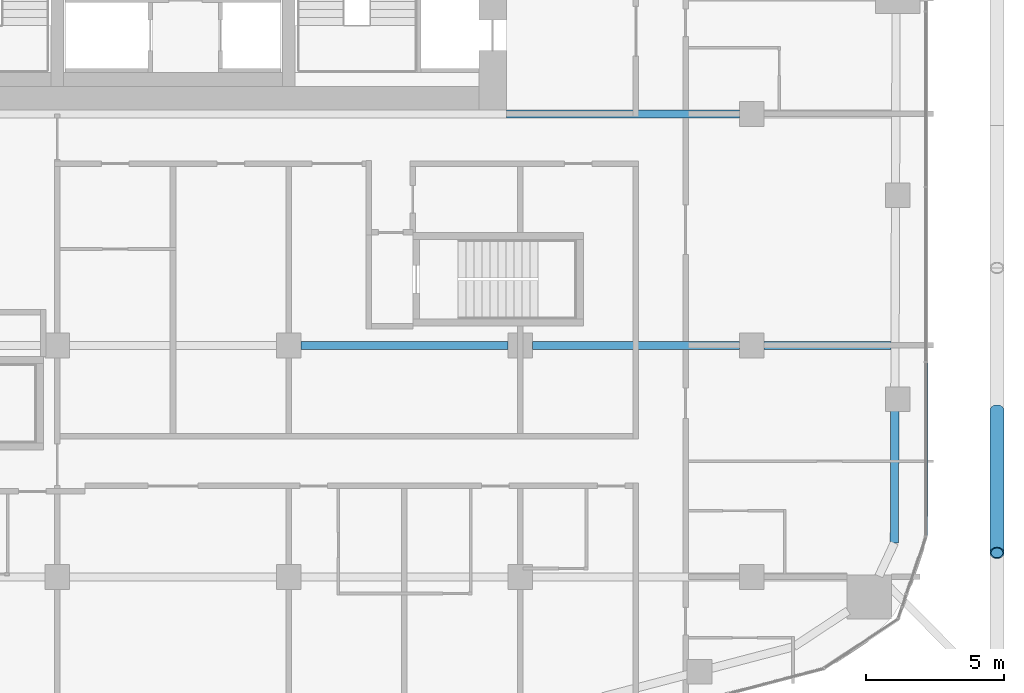
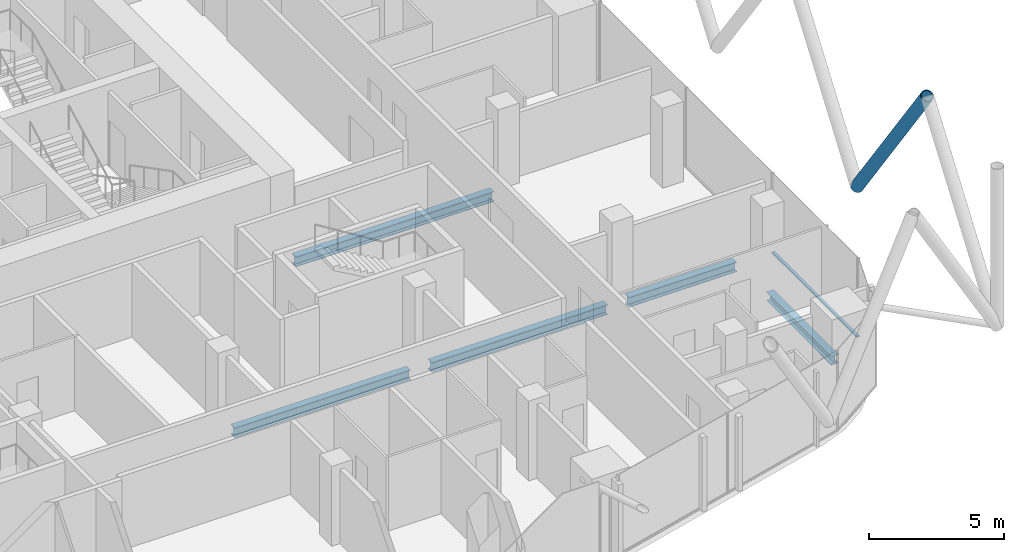
# One storey, part 7 of 33: 5 beams, 2 members, 1 element without a shape of its own.
"""IFC4 building model written with IfcOpenShell, lengths in metres."""

import ifcopenshell
import ifcopenshell.guid

model = None  # the IFC model being written
_history = None  # IfcOwnerHistory: only IFC2X3 demands one
_inside = {}  # id of a spatial element -> (the spatial element, [elements in it])
_under = {}  # id of a project, library or spatial element -> (it, [spatial elements below it])
_declared = {}  # id of a project -> (the project, [libraries it declares])
_typed = {}  # id of a type object -> (the type object, [elements of that type])
_made_of = {}  # id of a material, layer set ... -> (it, [elements and type objects made of it])


def new_model(schema):
    """Start an empty IFC model of exactly this schema.

    Asked for "IFC4X3", IfcOpenShell would pick the latest addendum, in which some entities
    have other attributes; the version numbers below select the first issue.
    IFC2X3 requires an IfcOwnerHistory on every rooted entity: one is made here for all.
    """
    global model, _history
    if schema == "IFC4X3":
        model = ifcopenshell.file(schema_version=(4, 3, 0, 0))
    else:
        model = ifcopenshell.file(schema=schema)
    _inside.clear()
    _under.clear()
    _declared.clear()
    _typed.clear()
    _made_of.clear()
    _history = None
    if model.schema == "IFC2X3":
        org = make("IfcOrganization", Name="unknown")
        user = make(
            "IfcPersonAndOrganization",
            ThePerson=make("IfcPerson", FamilyName="unknown"),
            TheOrganization=org,
        )
        app = make(
            "IfcApplication",
            ApplicationDeveloper=org,
            Version="unknown",
            ApplicationFullName="unknown",
            ApplicationIdentifier="unknown",
        )
        _history = make(
            "IfcOwnerHistory",
            OwningUser=user,
            OwningApplication=app,
            ChangeAction="ADDED",
            CreationDate=0,
        )
    return model


def make(cls, **values):
    """One entity of the class cls with the attributes given. An attribute that is None is left unset."""
    return model.create_entity(
        cls, **{name: value for name, value in values.items() if value is not None}
    )


def rooted(cls, **values):
    """An entity with a GlobalId (a new one), such as an element, a storey or a relation."""
    return make(cls, GlobalId=ifcopenshell.guid.new(), OwnerHistory=_history, **values)


def si_unit(unit_type, name, prefix=None):
    """IfcSIUnit, for example si_unit("LENGTHUNIT", "METRE", prefix="MILLI")."""
    return make("IfcSIUnit", UnitType=unit_type, Prefix=prefix, Name=name)


def assignment(units):
    """IfcUnitAssignment: the units of a project."""
    return None if units is None else make("IfcUnitAssignment", Units=units)


def point(xyz):
    """IfcCartesianPoint."""
    return None if xyz is None else make("IfcCartesianPoint", Coordinates=xyz)


def direction(xyz):
    """IfcDirection."""
    return None if xyz is None else make("IfcDirection", DirectionRatios=xyz)


def frame(location, z_axis=None, x_axis=None):
    """IfcAxis2Placement3D, a coordinate frame: its origin and axes. An axis left out is left unset."""
    return make(
        "IfcAxis2Placement3D",
        Location=point(location),
        Axis=direction(z_axis),
        RefDirection=direction(x_axis),
    )


def frame_2d(location, x_axis=None):
    """IfcAxis2Placement2D, a coordinate frame in the plane: its origin and x axis."""
    return make(
        "IfcAxis2Placement2D", Location=point(location), RefDirection=direction(x_axis)
    )


def origin():
    """The frame at (0, 0, 0) with its axes left unset."""
    return frame((0.0, 0.0, 0.0))


def origin_2d():
    """The frame at (0, 0) in the plane with its x axis left unset."""
    return frame_2d((0.0, 0.0))


def place(relative_to, where):
    """IfcLocalPlacement: puts the frame where relative to a parent placement (None: the world)."""
    return make(
        "IfcLocalPlacement", PlacementRelTo=relative_to, RelativePlacement=where
    )


def context(
    kind, dimensions, precision=None, world=None, true_north=None, identifier=None
):
    """IfcGeometricRepresentationContext, for example the 3D "Model" context."""
    return make(
        "IfcGeometricRepresentationContext",
        ContextIdentifier=identifier,
        ContextType=kind,
        CoordinateSpaceDimension=dimensions,
        Precision=precision,
        WorldCoordinateSystem=world,
        TrueNorth=true_north,
    )


def subcontext(parent, identifier, kind, view, scale=None):
    """IfcGeometricRepresentationSubContext, for example "Body" below "Model"."""
    return make(
        "IfcGeometricRepresentationSubContext",
        ContextIdentifier=identifier,
        ContextType=kind,
        ParentContext=parent,
        TargetScale=scale,
        TargetView=view,
    )


def project(units=None, contexts=None):
    """IfcProject with its units and contexts."""
    return rooted(
        "IfcProject",
        Name="project",
        RepresentationContexts=contexts,
        UnitsInContext=assignment(units),
    )


def spatial(cls, under=None, at=None, **own):
    """A site, building, storey or space (cls), placed at a placement, below another one or the project."""
    s = rooted(cls, ObjectPlacement=at, **own)
    if under is not None:
        _under.setdefault(under.id(), (under, []))[1].append(s)
    return s


def profile(cls, at=None, kind="AREA", **sizes):
    """A parametric profile (cls). Its sizes go by their IFC names, for example OverallWidth=200.0."""
    return make(cls, ProfileType=kind, Position=at, **sizes)


def rectangle(**sizes):
    """IfcRectangleProfileDef."""
    return profile("IfcRectangleProfileDef", **sizes)


def hollow_circle(**sizes):
    """IfcCircleHollowProfileDef."""
    return profile("IfcCircleHollowProfileDef", **sizes)


def i_section(**sizes):
    """IfcIShapeProfileDef."""
    return profile("IfcIShapeProfileDef", **sizes)


def extrude(swept, where, along, depth):
    """IfcExtrudedAreaSolid: the profile swept, set in the frame where, extruded along a direction by depth."""
    return make(
        "IfcExtrudedAreaSolid",
        SweptArea=swept,
        Position=where,
        ExtrudedDirection=direction(along),
        Depth=depth,
    )


def shape(context_of_items, identifier, shape_type, items):
    """IfcShapeRepresentation: the items that make up one representation, for example the "Body"."""
    return make(
        "IfcShapeRepresentation",
        ContextOfItems=context_of_items,
        RepresentationIdentifier=identifier,
        RepresentationType=shape_type,
        Items=items,
    )


def material(Name=None, Category=None):
    """IfcMaterial."""
    return make("IfcMaterial", Name=Name, Category=Category)


def layer(
    of_material, thickness, ventilated=None, Name=None, Category=None, Priority=None
):
    """IfcMaterialLayer: one layer of a wall or slab, of a material (None: an air gap)."""
    return make(
        "IfcMaterialLayer",
        Material=of_material,
        LayerThickness=thickness,
        IsVentilated=ventilated,
        Name=Name,
        Category=Category,
        Priority=Priority,
    )


def layer_set(layers, Name=None):
    """IfcMaterialLayerSet."""
    return make("IfcMaterialLayerSet", MaterialLayers=layers, LayerSetName=Name)


def material_profile(
    of_material, cross_section, Name=None, Category=None, Priority=None
):
    """IfcMaterialProfile: a cross section and its material."""
    return make(
        "IfcMaterialProfile",
        Name=Name,
        Material=of_material,
        Profile=cross_section,
        Priority=Priority,
        Category=Category,
    )


def profile_set(profiles, Name=None, composite=None):
    """IfcMaterialProfileSet."""
    return make(
        "IfcMaterialProfileSet",
        Name=Name,
        MaterialProfiles=profiles,
        CompositeProfile=composite,
    )


def made_of(thing, what):
    """Note that an element or type object is made of a material, layer set ...; save() writes the relation."""
    if what is not None:
        _made_of.setdefault(what.id(), (what, []))[1].append(thing)
    return thing


def type_object(cls, material=None, **own):
    """A type object (cls), such as IfcWallType, which elements share."""
    return made_of(rooted(cls, **own), material)


def element(
    cls,
    number,
    at=None,
    inside=None,
    cuts=None,
    type_object=None,
    material=None,
    context=None,
    identifier="Body",
    shape_type=None,
    held_by="IfcProductDefinitionShape",
    body=None,
    shapes=None,
    **own,
):
    """One element of the class cls, such as IfcWall. Its Tag is "e" and its number.

    at: its placement. inside: the storey or other place that contains it. cuts: it is an
    opening in that element (IfcRelVoidsElement). A single representation is given by context,
    identifier, shape_type and body (its items); several are given by shapes. held_by: the class
    of the entity that holds the representations. save() writes the other relations.
    """
    e = rooted(cls, Tag="e%d" % number, ObjectPlacement=at, **own)
    if body is not None:
        shapes = [shape(context, identifier, shape_type, body)]
    if shapes is not None:
        e.Representation = make(held_by, Representations=shapes)
    if inside is not None:
        _inside.setdefault(inside.id(), (inside, []))[1].append(e)
    if cuts is not None:
        rooted(
            "IfcRelVoidsElement", RelatingBuildingElement=cuts, RelatedOpeningElement=e
        )
    if type_object is not None:
        _typed.setdefault(type_object.id(), (type_object, []))[1].append(e)
    return made_of(e, material)


def aggregate(whole, parts):
    """IfcRelAggregates: a whole, such as a stair, and the parts it consists of."""
    return rooted("IfcRelAggregates", RelatingObject=whole, RelatedObjects=parts)


def save(model, path):
    """Write the relations noted so far, then the file.

    IfcRelAggregates (storeys below a building ...), IfcRelContainedInSpatialStructure (elements
    in a storey), IfcRelDefinesByType, IfcRelAssociatesMaterial and IfcRelDeclares: one each for
    every whole, place, type object, material and project.
    """
    for whole, parts in _under.values():
        aggregate(whole, parts)
    for where, things in _inside.values():
        rooted(
            "IfcRelContainedInSpatialStructure",
            RelatedElements=things,
            RelatingStructure=where,
        )
    for kind, things in _typed.values():
        rooted("IfcRelDefinesByType", RelatedObjects=things, RelatingType=kind)
    for what, things in _made_of.values():
        rooted("IfcRelAssociatesMaterial", RelatedObjects=things, RelatingMaterial=what)
    for by, libraries in _declared.values():
        rooted("IfcRelDeclares", RelatingContext=by, RelatedDefinitions=libraries)
    model.write(path)


model = new_model("IFC4")

# Units and contexts
model_context = context("Model", 3, precision=1e-05, world=origin(), true_north=direction((0.0, 1.0)))
body_context = subcontext(model_context, "Body", "Model", "MODEL_VIEW")
ifc_project = project(units=[si_unit("LENGTHUNIT", "METRE"), si_unit("AREAUNIT", "SQUARE_METRE"), si_unit("VOLUMEUNIT", "CUBIC_METRE"), si_unit("PLANEANGLEUNIT", "RADIAN"), si_unit("MASSUNIT", "GRAM", prefix="KILO")], contexts=[model_context])

# Site, building, storey
site_placement = place(None, origin())
site = spatial("IfcSite", under=ifc_project, at=site_placement, CompositionType="ELEMENT")
building_placement = place(site_placement, origin())
building = spatial("IfcBuilding", under=site, at=building_placement, Name="Marenta Gate Hotel Tower", CompositionType="ELEMENT")
storey_placement = place(building_placement, frame((0.0, 0.0, 122.89990234375)))
storey = spatial("IfcBuildingStorey", under=building, at=storey_placement, Name="L27", CompositionType="ELEMENT", Elevation=122.89990234375)

# Member
ifc_material_1 = material(Name="Steel S355J2W", Category="steel")
ifc_material_profile_1 = material_profile(ifc_material_1, hollow_circle(Radius=0.25390625, WallThickness=0.0400390625, at=origin_2d()), Name="CHS 508x40")
ifc_profile_set_1 = profile_set([ifc_material_profile_1], Name="Steel S355J2W")
member_type_1 = type_object("IfcMemberType", Name="Diagrid diagonal Z2 CHS 508x40", PredefinedType="BRACE", material=ifc_profile_set_1)
member_1_placement = place(storey_placement, frame((29.89990234375, -10.760009765625, 3.14013671875), z_axis=(0.0, -0.583279014058, 0.812271870595), x_axis=(1.0, 0.0, 0.0)))
element("IfcMember", 1, at=member_1_placement, inside=storey, type_object=member_type_1, Name="L27-DG-9", PredefinedType="BRACE", context=body_context, shape_type="SweptSolid", body=[
    extrude(hollow_circle(Radius=0.25390625, WallThickness=0.0400390625, at=origin_2d()), origin(), (0.0, 0.0, 1.0), 8.864013671875),
])

# Beams
ifc_material_2 = material(Name="Steel S355", Category="steel")
ifc_material_profile_2 = material_profile(ifc_material_2, i_section(OverallWidth=0.300048828125, OverallDepth=0.39990234375, WebThickness=0.013427734375, FlangeThickness=0.02392578125, FilletRadius=0.027099609375, at=origin_2d()), Name="HEB 400")
ifc_profile_set_2 = profile_set([ifc_material_profile_2], Name="Steel S355")
beam_type_1 = type_object("IfcBeamType", Name="Edge beam HEB 400", PredefinedType="SPANDREL", material=ifc_profile_set_2)
beam_1_placement = place(storey_placement, frame((26.191162109375, -10.761962890625, -0.4599609375), z_axis=(-0.003353298899, -0.999994377677, 0.0), x_axis=(0.999994377677, -0.003353298899, 0.0)))
element("IfcBeam", 2, at=beam_1_placement, inside=storey, type_object=beam_type_1, Name="L27-EB-27", PredefinedType="SPANDREL", context=body_context, shape_type="SweptSolid", body=[
    extrude(i_section(OverallWidth=0.300048828125, OverallDepth=0.39990234375, WebThickness=0.013427734375, FlangeThickness=0.02392578125, FilletRadius=0.027099609375, at=origin_2d()), origin(), (0.0, 0.0, 1.0), 4.80517578125),
])
ifc_material_3 = material(Name="Steel S355", Category="steel")
ifc_material_profile_3 = material_profile(ifc_material_3, i_section(OverallWidth=0.300048828125, OverallDepth=0.449951171875, WebThickness=0.013916015625, FlangeThickness=0.02587890625, FilletRadius=0.027099609375, at=origin_2d()), Name="HEB 450")
ifc_profile_set_3 = profile_set([ifc_material_profile_3], Name="Steel S355")
beam_type_2 = type_object("IfcBeamType", Name="Girder HEB 450", PredefinedType="BEAM", material=ifc_profile_set_3)
for number, where, z_axis, x_axis, name in (
    (3, (4.64990234375, -8.39990234375, -0.48486328125), (1.0, 0.0, 0.0), (0.0, 1.0, 0.0), "L27-GD-12"),
    (4, (13.050048828125, -8.39990234375, -0.48486328125), (1.0, 0.0, 0.0), (0.0, 1.0, 0.0), "L27-GD-13"),
):
    element("IfcBeam", number, at=place(storey_placement, frame(where, z_axis=z_axis, x_axis=x_axis)), inside=storey, type_object=beam_type_2, Name=name, PredefinedType="BEAM", context=body_context, shape_type="SweptSolid", body=[
        extrude(i_section(OverallWidth=0.300048828125, OverallDepth=0.449951171875, WebThickness=0.013916015625, FlangeThickness=0.02587890625, FilletRadius=0.027099609375, at=origin_2d()), origin(), (0.0, 0.0, 1.0), 7.5),
    ])
beam_2_placement = place(storey_placement, frame((21.449951171875, -8.39990234375, -0.48486328125), z_axis=(1.0, 0.0, 0.0), x_axis=(0.0, 1.0, 0.0)))
element("IfcBeam", 5, at=beam_2_placement, inside=storey, type_object=beam_type_2, Name="L27-GD-14", PredefinedType="BEAM", context=body_context, shape_type="SweptSolid", body=[
    extrude(i_section(OverallWidth=0.300048828125, OverallDepth=0.449951171875, WebThickness=0.013916015625, FlangeThickness=0.02587890625, FilletRadius=0.027099609375, at=origin_2d()), origin(), (0.0, 0.0, 1.0), 4.59912109375),
])
beam_3_placement = place(storey_placement, frame((12.10009765625, 0.0, -0.48486328125), z_axis=(1.0, 0.0, 0.0), x_axis=(0.0, 1.0, 0.0)))
element("IfcBeam", 6, at=beam_3_placement, inside=storey, type_object=beam_type_2, Name="L27-GD-18", PredefinedType="BEAM", context=body_context, shape_type="SweptSolid", body=[
    extrude(i_section(OverallWidth=0.300048828125, OverallDepth=0.449951171875, WebThickness=0.013916015625, FlangeThickness=0.02587890625, FilletRadius=0.027099609375, at=origin_2d()), origin(), (0.0, 0.0, 1.0), 8.449951171875),
])

# Curtain wall, member
ifc_material_4 = material(Name="Tinted insulated glass in bronze anodised frame", Category="glass")
ifc_layer = layer(ifc_material_4, 0.1201171875)
ifc_layer_set = layer_set([ifc_layer], Name="Tinted insulated glass in bronze anodised frame")
curtain_wall_type = type_object("IfcCurtainWallType", Name="Tower unitised curtain wall CW1", PredefinedType="NOTDEFINED", material=ifc_layer_set)
curtain_wall_placement = place(storey_placement, origin())
curtain_wall = element("IfcCurtainWall", 7, at=curtain_wall_placement, inside=storey, type_object=curtain_wall_type, Name="CW1 run G19", PredefinedType="NOTDEFINED")
ifc_material_5 = material(Name="Bronze anodised aluminium", Category="aluminium")
ifc_material_profile_4 = material_profile(ifc_material_5, rectangle(XDim=0.1201171875, YDim=0.06005859375, at=origin_2d()), Name="Transom CW1 60x120 bronze anodised aluminium")
ifc_profile_set_4 = profile_set([ifc_material_profile_4], Name="Bronze anodised aluminium")
member_type_2 = type_object("IfcMemberType", Name="Transom CW1 60x120 bronze anodised aluminium", PredefinedType="USERDEFINED", material=ifc_profile_set_4)
member_2_placement = place(storey_placement, frame((27.31396484375, -15.30810546875, 0.030029296875), z_axis=(0.0, 1.0, 0.0), x_axis=(-1.0, 0.0, 0.0)))
member_2 = element("IfcMember", 8, at=member_2_placement, type_object=member_type_2, Name="CW1 transom 1.1", ObjectType="TRANSOM", PredefinedType="USERDEFINED", context=body_context, shape_type="SweptSolid", body=[
    extrude(rectangle(XDim=0.1201171875, YDim=0.06005859375, at=origin_2d()), origin(), (0.0, 0.0, 1.0), 6.27001953125),
])
aggregate(curtain_wall, [member_2])

save(model, "model.ifc")
